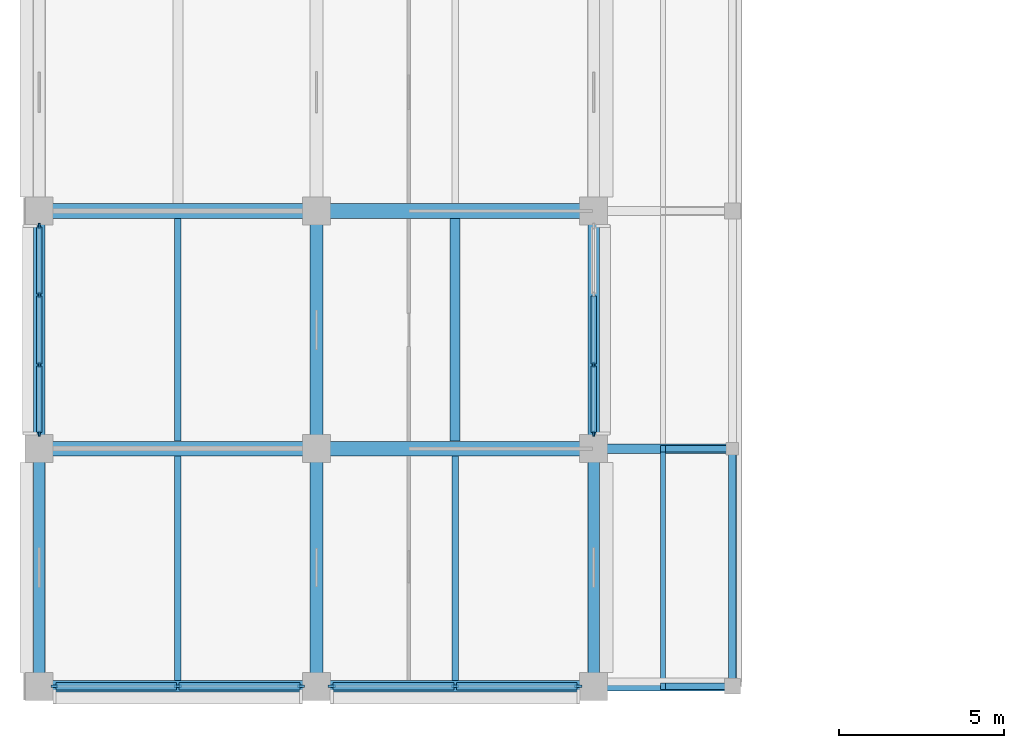
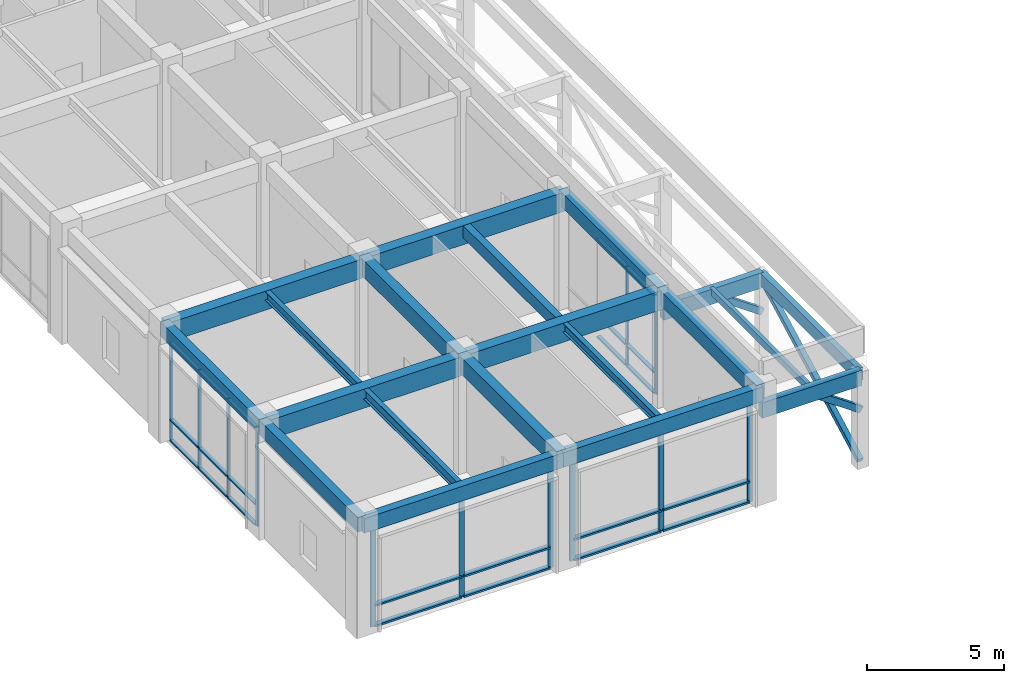
# One storey, part 4 of 68: 43 members, 19 beams, 4 elements without a shape of their own.
"""IFC4 building model written with IfcOpenShell, lengths in metres."""

from ifc_helpers import new_model, si_unit, direction, frame, origin, origin_2d, place, context, subcontext, project, spatial, rectangle, i_section, extrude, material, layer, layer_set, material_profile, profile_set, type_object, element, aggregate, save


model = new_model("IFC4")

# Units and contexts
model_context = context("Model", 3, precision=1e-05, world=origin(), true_north=direction((0.0, 1.0)))
body_context = subcontext(model_context, "Body", "Model", "MODEL_VIEW")
ifc_project = project(units=[si_unit("LENGTHUNIT", "METRE"), si_unit("AREAUNIT", "SQUARE_METRE"), si_unit("VOLUMEUNIT", "CUBIC_METRE"), si_unit("PLANEANGLEUNIT", "RADIAN"), si_unit("MASSUNIT", "GRAM", prefix="KILO")], contexts=[model_context])

# Site, building, storey
site_placement = place(None, origin())
site = spatial("IfcSite", under=ifc_project, at=site_placement, CompositionType="ELEMENT")
building_placement = place(site_placement, origin())
building = spatial("IfcBuilding", under=site, at=building_placement, Name="Chengyuan Square Courthouse", CompositionType="ELEMENT")
storey_placement = place(building_placement, frame((0.0, 0.0, 5.39990234375)))
storey = spatial("IfcBuildingStorey", under=building, at=storey_placement, Name="L02", CompositionType="ELEMENT", Elevation=5.39990234375)

# Beams
ifc_material_1 = material(Name="Concrete C40", Category="concrete")
ifc_material_profile_1 = material_profile(ifc_material_1, rectangle(XDim=0.449951171875, YDim=0.85009765625, at=origin_2d()), Name="RC-BM-450x850")
ifc_profile_set_1 = profile_set([ifc_material_profile_1], Name="Concrete C40")
beam_type_1 = type_object("IfcBeamType", Name="BM-01", PredefinedType="USERDEFINED", material=ifc_profile_set_1)
beam_1_placement = place(storey_placement, frame((0.0, 7.199951171875, 4.625), z_axis=(1.0, 0.0, 0.0), x_axis=(0.0, 1.0, 0.0)))
element("IfcBeam", 1, at=beam_1_placement, inside=storey, type_object=beam_type_1, Name="Girder BM-L02-2075", ObjectType="GIRDER", PredefinedType="USERDEFINED", context=body_context, shape_type="SweptSolid", body=[
    extrude(rectangle(XDim=0.449951171875, YDim=0.85009765625, at=origin_2d()), origin(), (0.0, 0.0, 1.0), 8.39990234375),
])
beam_2_placement = place(storey_placement, frame((8.39990234375, 7.199951171875, 4.625), z_axis=(1.0, 0.0, 0.0), x_axis=(0.0, 1.0, 0.0)))
element("IfcBeam", 2, at=beam_2_placement, inside=storey, type_object=beam_type_1, Name="Girder BM-L02-2076", ObjectType="GIRDER", PredefinedType="USERDEFINED", context=body_context, shape_type="SweptSolid", body=[
    extrude(rectangle(XDim=0.449951171875, YDim=0.85009765625, at=origin_2d()), origin(), (0.0, 0.0, 1.0), 8.400146484375),
])
beam_3_placement = place(storey_placement, frame((0.0, 14.39990234375, 4.625), z_axis=(1.0, 0.0, 0.0), x_axis=(0.0, 1.0, 0.0)))
element("IfcBeam", 3, at=beam_3_placement, inside=storey, type_object=beam_type_1, Name="Girder BM-L02-2079", ObjectType="GIRDER", PredefinedType="USERDEFINED", context=body_context, shape_type="SweptSolid", body=[
    extrude(rectangle(XDim=0.449951171875, YDim=0.85009765625, at=origin_2d()), origin(), (0.0, 0.0, 1.0), 8.39990234375),
])
beam_4_placement = place(storey_placement, frame((8.39990234375, 14.39990234375, 4.625), z_axis=(1.0, 0.0, 0.0), x_axis=(0.0, 1.0, 0.0)))
element("IfcBeam", 4, at=beam_4_placement, inside=storey, type_object=beam_type_1, Name="Girder BM-L02-2080", ObjectType="GIRDER", PredefinedType="USERDEFINED", context=body_context, shape_type="SweptSolid", body=[
    extrude(rectangle(XDim=0.449951171875, YDim=0.85009765625, at=origin_2d()), origin(), (0.0, 0.0, 1.0), 8.400146484375),
])
ifc_material_profile_2 = material_profile(ifc_material_1, rectangle(XDim=0.39990234375, YDim=0.75, at=origin_2d()), Name="RC-BM-400x750")
ifc_profile_set_2 = profile_set([ifc_material_profile_2], Name="Concrete C40")
beam_type_2 = type_object("IfcBeamType", Name="BM-02", PredefinedType="USERDEFINED", material=ifc_profile_set_2)
for number, where, z_axis, x_axis, name in (
    (5, (8.39990234375, 0.0, 4.675048828125), (0.0, 1.0, 0.0), (-1.0, 0.0, 0.0), "Girder BM-L02-2242"),
    (6, (8.39990234375, 7.199951171875, 4.675048828125), (0.0, 1.0, 0.0), (-1.0, 0.0, 0.0), "Girder BM-L02-2243"),
):
    element("IfcBeam", number, at=place(storey_placement, frame(where, z_axis=z_axis, x_axis=x_axis)), inside=storey, type_object=beam_type_2, Name=name, ObjectType="GIRDER", PredefinedType="USERDEFINED", context=body_context, shape_type="SweptSolid", body=[
        extrude(rectangle(XDim=0.39990234375, YDim=0.75, at=origin_2d()), origin(), (0.0, 0.0, 1.0), 7.199951171875),
    ])
ifc_material_profile_3 = material_profile(ifc_material_1, rectangle(XDim=0.35009765625, YDim=0.64990234375, at=origin_2d()), Name="RC-BM-350x650")
ifc_profile_set_3 = profile_set([ifc_material_profile_3], Name="Concrete C40")
beam_type_3 = type_object("IfcBeamType", Name="BM-03", PredefinedType="SPANDREL", material=ifc_profile_set_3)
beam_5_placement = place(storey_placement, frame((0.0, 0.0, 4.72509765625), z_axis=(1.0, 0.0, 0.0), x_axis=(0.0, 1.0, 0.0)))
element("IfcBeam", 7, at=beam_5_placement, inside=storey, type_object=beam_type_3, Name="Girder BM-L02-2071", PredefinedType="SPANDREL", context=body_context, shape_type="SweptSolid", body=[
    extrude(rectangle(XDim=0.35009765625, YDim=0.64990234375, at=origin_2d()), origin(), (0.0, 0.0, 1.0), 8.39990234375),
])
beam_6_placement = place(storey_placement, frame((8.39990234375, 0.0, 4.72509765625), z_axis=(1.0, 0.0, 0.0), x_axis=(0.0, 1.0, 0.0)))
element("IfcBeam", 8, at=beam_6_placement, inside=storey, type_object=beam_type_3, Name="Girder BM-L02-2072", PredefinedType="SPANDREL", context=body_context, shape_type="SweptSolid", body=[
    extrude(rectangle(XDim=0.35009765625, YDim=0.64990234375, at=origin_2d()), origin(), (0.0, 0.0, 1.0), 8.400146484375),
])
for number, where, z_axis, x_axis, name in (
    (9, (0.0, 0.0, 4.72509765625), (0.0, 1.0, 0.0), (-1.0, 0.0, 0.0), "Girder BM-L02-2227"),
    (10, (0.0, 7.199951171875, 4.72509765625), (0.0, 1.0, 0.0), (-1.0, 0.0, 0.0), "Girder BM-L02-2228"),
    (11, (16.800048828125, 0.0, 4.72509765625), (0.0, 1.0, 0.0), (-1.0, 0.0, 0.0), "Girder BM-L02-2257"),
    (12, (16.800048828125, 7.199951171875, 4.72509765625), (0.0, 1.0, 0.0), (-1.0, 0.0, 0.0), "Girder BM-L02-2258"),
):
    element("IfcBeam", number, at=place(storey_placement, frame(where, z_axis=z_axis, x_axis=x_axis)), inside=storey, type_object=beam_type_3, Name=name, PredefinedType="SPANDREL", context=body_context, shape_type="SweptSolid", body=[
        extrude(rectangle(XDim=0.35009765625, YDim=0.64990234375, at=origin_2d()), origin(), (0.0, 0.0, 1.0), 7.199951171875),
    ])
ifc_material_profile_4 = material_profile(ifc_material_1, rectangle(XDim=0.300048828125, YDim=0.550048828125, at=origin_2d()), Name="RC-BM-300x550")
ifc_profile_set_4 = profile_set([ifc_material_profile_4], Name="Concrete C40")
beam_type_4 = type_object("IfcBeamType", Name="BM-04", PredefinedType="BEAM", material=ifc_profile_set_4)
beam_7_placement = place(storey_placement, frame((12.60009765625, 7.425048828125, 4.775146484375), z_axis=(0.0, 1.0, 0.0), x_axis=(-1.0, 0.0, 0.0)))
element("IfcBeam", 13, at=beam_7_placement, inside=storey, type_object=beam_type_4, Name="Secondary Floor Beam SBM-L02-2406", PredefinedType="BEAM", context=body_context, shape_type="SweptSolid", body=[
    extrude(rectangle(XDim=0.300048828125, YDim=0.550048828125, at=origin_2d()), origin(), (0.0, 0.0, 1.0), 6.75),
])
ifc_material_2 = material(Name="Steel Q355B", Category="steel")
ifc_material_profile_5 = material_profile(ifc_material_2, i_section(OverallWidth=0.199951171875, OverallDepth=0.449951171875, WebThickness=0.009033203125, FlangeThickness=0.013916015625, at=origin_2d()), Name="HN 450x200x9x14")
ifc_profile_set_5 = profile_set([ifc_material_profile_5], Name="Steel Q355B")
beam_type_5 = type_object("IfcBeamType", Name="BM-06", PredefinedType="BEAM", material=ifc_profile_set_5)
beam_8_placement = place(storey_placement, frame((4.199951171875, 0.175048828125, 4.8251953125), z_axis=(0.0, 1.0, 0.0), x_axis=(-1.0, 0.0, 0.0)))
element("IfcBeam", 14, at=beam_8_placement, inside=storey, type_object=beam_type_5, Name="Secondary Floor Beam SBM-L02-2390", PredefinedType="BEAM", context=body_context, shape_type="SweptSolid", body=[
    extrude(i_section(OverallWidth=0.199951171875, OverallDepth=0.449951171875, WebThickness=0.009033203125, FlangeThickness=0.013916015625, at=origin_2d()), origin(), (0.0, 0.0, 1.0), 6.800048828125),
])
ifc_material_profile_6 = material_profile(ifc_material_2, i_section(OverallWidth=0.199951171875, OverallDepth=0.39990234375, WebThickness=0.008056640625, FlangeThickness=0.012939453125, at=origin_2d()), Name="HN 400x200x8x13")
ifc_profile_set_6 = profile_set([ifc_material_profile_6], Name="Steel Q355B")
beam_type_6 = type_object("IfcBeamType", Name="BM-07", PredefinedType="BEAM", material=ifc_profile_set_6)
beam_9_placement = place(storey_placement, frame((4.199951171875, 7.425048828125, 4.85009765625), z_axis=(0.0, 1.0, 0.0), x_axis=(-1.0, 0.0, 0.0)))
element("IfcBeam", 15, at=beam_9_placement, inside=storey, type_object=beam_type_6, Name="Secondary Floor Beam SBM-L02-2391", PredefinedType="BEAM", context=body_context, shape_type="SweptSolid", body=[
    extrude(i_section(OverallWidth=0.199951171875, OverallDepth=0.39990234375, WebThickness=0.008056640625, FlangeThickness=0.012939453125, at=origin_2d()), origin(), (0.0, 0.0, 1.0), 6.75),
])
beam_10_placement = place(storey_placement, frame((12.60009765625, 0.175048828125, 4.85009765625), z_axis=(0.0, 1.0, 0.0), x_axis=(-1.0, 0.0, 0.0)))
element("IfcBeam", 16, at=beam_10_placement, inside=storey, type_object=beam_type_6, Name="Secondary Floor Beam SBM-L02-2405", PredefinedType="BEAM", context=body_context, shape_type="SweptSolid", body=[
    extrude(i_section(OverallWidth=0.199951171875, OverallDepth=0.39990234375, WebThickness=0.008056640625, FlangeThickness=0.012939453125, at=origin_2d()), origin(), (0.0, 0.0, 1.0), 6.800048828125),
])

# Member
ifc_material_3 = material(Name="Glulam TCt28", Category="wood")
ifc_material_profile_7 = material_profile(ifc_material_3, rectangle(XDim=0.219970703125, YDim=0.219970703125, at=origin_2d()), Name="GL-BR-220x220")
ifc_profile_set_7 = profile_set([ifc_material_profile_7], Name="Glulam TCt28")
member_type_1 = type_object("IfcMemberType", Name="BR-03", PredefinedType="BRACE", material=ifc_profile_set_7)
member_1_placement = place(storey_placement, frame((21.0, 0.0, 0.2001953125), z_axis=(0.0, 0.883377366963, 0.468662381184), x_axis=(-1.0, 0.0, 0.0)))
element("IfcMember", 17, at=member_1_placement, inside=storey, type_object=member_type_1, Name="Glulam Colonnade Portal Brace GBR-L02-001", PredefinedType="BRACE", context=body_context, shape_type="SweptSolid", body=[
    extrude(rectangle(XDim=0.219970703125, YDim=0.219970703125, at=origin_2d()), origin(), (0.0, 0.0, 1.0), 8.150390625),
])

# Curtain wall, members
ifc_material_4 = material(Name="Unitised Aluminium and Triple Low-E Glass", Category="aluminium")
ifc_layer_1 = layer(ifc_material_4, 0.159912109375)
ifc_layer_set_1 = layer_set([ifc_layer_1], Name="Unitised Aluminium and Triple Low-E Glass")
curtain_wall_type_1 = type_object("IfcCurtainWallType", Name="CW-17", PredefinedType="USERDEFINED", material=ifc_layer_set_1)
curtain_wall_1_placement = place(storey_placement, origin())
curtain_wall_1 = element("IfcCurtainWall", 18, at=curtain_wall_1_placement, inside=storey, type_object=curtain_wall_type_1, Name="Unitised Curtain Wall CW-L02-044", ObjectType="UNITISED CURTAIN WALL", PredefinedType="USERDEFINED")
ifc_material_5 = material(Name="Aluminium 6063-T6 Frame", Category="aluminium")
ifc_material_profile_8 = material_profile(ifc_material_5, rectangle(XDim=0.06005859375, YDim=0.159912109375, at=origin_2d()), Name="CW-MUL-60x160")
ifc_profile_set_8 = profile_set([ifc_material_profile_8], Name="Aluminium 6063-T6 Frame")
member_type_2 = type_object("IfcMemberType", Name="CWM-01", PredefinedType="MULLION", material=ifc_profile_set_8)
member_2_placement = place(storey_placement, frame((0.0, 7.655029296875, 0.0), z_axis=(0.0, 0.0, 1.0), x_axis=(-1.0, 0.0, 0.0)))
member_2 = element("IfcMember", 19, at=member_2_placement, type_object=member_type_2, Name="CW-17 mullion 1", PredefinedType="MULLION", context=body_context, shape_type="SweptSolid", body=[
    extrude(rectangle(XDim=0.06005859375, YDim=0.159912109375, at=origin_2d()), origin(), (0.0, 0.0, 1.0), 4.400146484375),
])
member_3_placement = place(storey_placement, frame((0.0, 9.74169921875, 0.0), z_axis=(0.0, 0.0, 1.0), x_axis=(-1.0, 0.0, 0.0)))
member_3 = element("IfcMember", 20, at=member_3_placement, type_object=member_type_2, Name="CW-17 mullion 2", PredefinedType="MULLION", context=body_context, shape_type="SweptSolid", body=[
    extrude(rectangle(XDim=0.06005859375, YDim=0.159912109375, at=origin_2d()), origin(), (0.0, 0.0, 1.0), 4.400146484375),
])
member_4_placement = place(storey_placement, frame((0.0, 11.8583984375, 0.0), z_axis=(0.0, 0.0, 1.0), x_axis=(-1.0, 0.0, 0.0)))
member_4 = element("IfcMember", 21, at=member_4_placement, type_object=member_type_2, Name="CW-17 mullion 3", PredefinedType="MULLION", context=body_context, shape_type="SweptSolid", body=[
    extrude(rectangle(XDim=0.06005859375, YDim=0.159912109375, at=origin_2d()), origin(), (0.0, 0.0, 1.0), 4.400146484375),
])
member_5_placement = place(storey_placement, frame((0.0, 13.945068359375, 0.0), z_axis=(0.0, 0.0, 1.0), x_axis=(-1.0, 0.0, 0.0)))
member_5 = element("IfcMember", 22, at=member_5_placement, type_object=member_type_2, Name="CW-17 mullion 4", PredefinedType="MULLION", context=body_context, shape_type="SweptSolid", body=[
    extrude(rectangle(XDim=0.06005859375, YDim=0.159912109375, at=origin_2d()), origin(), (0.0, 0.0, 1.0), 4.400146484375),
])

curtain_wall_2_placement = place(storey_placement, origin())
curtain_wall_2 = element("IfcCurtainWall", 23, at=curtain_wall_2_placement, inside=storey, type_object=curtain_wall_type_1, Name="Unitised Curtain Wall CW-L02-050", ObjectType="UNITISED CURTAIN WALL", PredefinedType="USERDEFINED")
member_6_placement = place(storey_placement, frame((16.800048828125, 7.655029296875, 0.0), z_axis=(0.0, 0.0, 1.0), x_axis=(-1.0, 0.0, 0.0)))
member_6 = element("IfcMember", 24, at=member_6_placement, type_object=member_type_2, Name="CW-17 mullion 1", PredefinedType="MULLION", context=body_context, shape_type="SweptSolid", body=[
    extrude(rectangle(XDim=0.06005859375, YDim=0.159912109375, at=origin_2d()), origin(), (0.0, 0.0, 1.0), 4.400146484375),
])
member_7_placement = place(storey_placement, frame((16.800048828125, 9.74169921875, 0.0), z_axis=(0.0, 0.0, 1.0), x_axis=(-1.0, 0.0, 0.0)))
member_7 = element("IfcMember", 25, at=member_7_placement, type_object=member_type_2, Name="CW-17 mullion 2", PredefinedType="MULLION", context=body_context, shape_type="SweptSolid", body=[
    extrude(rectangle(XDim=0.06005859375, YDim=0.159912109375, at=origin_2d()), origin(), (0.0, 0.0, 1.0), 4.400146484375),
])

ifc_layer_2 = layer(ifc_material_4, 0.219970703125)
ifc_layer_set_2 = layer_set([ifc_layer_2], Name="Unitised Aluminium and Triple Low-E Glass")
curtain_wall_type_2 = type_object("IfcCurtainWallType", Name="CW-04", PredefinedType="USERDEFINED", material=ifc_layer_set_2)
curtain_wall_3_placement = place(storey_placement, origin())
curtain_wall_3 = element("IfcCurtainWall", 26, at=curtain_wall_3_placement, inside=storey, type_object=curtain_wall_type_2, Name="Unitised Curtain Wall CW-L02-043", ObjectType="UNITISED CURTAIN WALL", PredefinedType="USERDEFINED")
ifc_material_profile_9 = material_profile(ifc_material_5, rectangle(XDim=0.080078125, YDim=0.219970703125, at=origin_2d()), Name="CW-MUL-80x220")
ifc_profile_set_9 = profile_set([ifc_material_profile_9], Name="Aluminium 6063-T6 Frame")
member_type_3 = type_object("IfcMemberType", Name="CWM-04", PredefinedType="MULLION", material=ifc_profile_set_9)
member_8_placement = place(storey_placement, frame((0.465087890625, 0.0, 0.0), z_axis=(0.0, 0.0, 1.0), x_axis=(0.0, 1.0, 0.0)))
member_8 = element("IfcMember", 27, at=member_8_placement, type_object=member_type_3, Name="CW-04 mullion 1", PredefinedType="MULLION", context=body_context, shape_type="SweptSolid", body=[
    extrude(rectangle(XDim=0.080078125, YDim=0.219970703125, at=origin_2d()), origin(), (0.0, 0.0, 1.0), 4.400146484375),
])
member_9_placement = place(storey_placement, frame((4.199951171875, 0.0, 0.0), z_axis=(0.0, 0.0, 1.0), x_axis=(0.0, 1.0, 0.0)))
member_9 = element("IfcMember", 28, at=member_9_placement, type_object=member_type_3, Name="CW-04 mullion 2", PredefinedType="MULLION", context=body_context, shape_type="SweptSolid", body=[
    extrude(rectangle(XDim=0.080078125, YDim=0.219970703125, at=origin_2d()), origin(), (0.0, 0.0, 1.0), 4.400146484375),
])
member_10_placement = place(storey_placement, frame((7.93505859375, 0.0, 0.0), z_axis=(0.0, 0.0, 1.0), x_axis=(0.0, 1.0, 0.0)))
member_10 = element("IfcMember", 29, at=member_10_placement, type_object=member_type_3, Name="CW-04 mullion 3", PredefinedType="MULLION", context=body_context, shape_type="SweptSolid", body=[
    extrude(rectangle(XDim=0.080078125, YDim=0.219970703125, at=origin_2d()), origin(), (0.0, 0.0, 1.0), 4.400146484375),
])

curtain_wall_4_placement = place(storey_placement, origin())
curtain_wall_4 = element("IfcCurtainWall", 30, at=curtain_wall_4_placement, inside=storey, type_object=curtain_wall_type_2, Name="Unitised Curtain Wall CW-L02-049", ObjectType="UNITISED CURTAIN WALL", PredefinedType="USERDEFINED")
member_11_placement = place(storey_placement, frame((8.864990234375, 0.0, 0.0), z_axis=(0.0, 0.0, 1.0), x_axis=(0.0, 1.0, 0.0)))
member_11 = element("IfcMember", 31, at=member_11_placement, type_object=member_type_3, Name="CW-04 mullion 1", PredefinedType="MULLION", context=body_context, shape_type="SweptSolid", body=[
    extrude(rectangle(XDim=0.080078125, YDim=0.219970703125, at=origin_2d()), origin(), (0.0, 0.0, 1.0), 4.400146484375),
])
member_12_placement = place(storey_placement, frame((12.60009765625, 0.0, 0.0), z_axis=(0.0, 0.0, 1.0), x_axis=(0.0, 1.0, 0.0)))
member_12 = element("IfcMember", 32, at=member_12_placement, type_object=member_type_3, Name="CW-04 mullion 2", PredefinedType="MULLION", context=body_context, shape_type="SweptSolid", body=[
    extrude(rectangle(XDim=0.080078125, YDim=0.219970703125, at=origin_2d()), origin(), (0.0, 0.0, 1.0), 4.400146484375),
])
member_13_placement = place(storey_placement, frame((16.3349609375, 0.0, 0.0), z_axis=(0.0, 0.0, 1.0), x_axis=(0.0, 1.0, 0.0)))
member_13 = element("IfcMember", 33, at=member_13_placement, type_object=member_type_3, Name="CW-04 mullion 3", PredefinedType="MULLION", context=body_context, shape_type="SweptSolid", body=[
    extrude(rectangle(XDim=0.080078125, YDim=0.219970703125, at=origin_2d()), origin(), (0.0, 0.0, 1.0), 4.400146484375),
])

# Member
ifc_material_profile_10 = material_profile(ifc_material_5, rectangle(XDim=0.159912109375, YDim=0.06005859375, at=origin_2d()), Name="CW-TRN-60x120")
ifc_profile_set_10 = profile_set([ifc_material_profile_10], Name="Aluminium 6063-T6 Frame")
member_type_4 = type_object("IfcMemberType", Name="CWT-01", PredefinedType="USERDEFINED", material=ifc_profile_set_10)
member_14_placement = place(storey_placement, frame((0.0, 7.68505859375, 0.030029296875), z_axis=(0.0, 1.0, 0.0), x_axis=(-1.0, 0.0, 0.0)))
member_14 = element("IfcMember", 34, at=member_14_placement, type_object=member_type_4, Name="CW-17 transom 1.1", ObjectType="TRANSOM", PredefinedType="USERDEFINED", context=body_context, shape_type="SweptSolid", body=[
    extrude(rectangle(XDim=0.159912109375, YDim=0.06005859375, at=origin_2d()), origin(), (0.0, 0.0, 1.0), 2.026611328125),
])

member_15_placement = place(storey_placement, frame((0.0, 7.68505859375, 0.9501953125), z_axis=(0.0, 1.0, 0.0), x_axis=(-1.0, 0.0, 0.0)))
member_15 = element("IfcMember", 35, at=member_15_placement, type_object=member_type_4, Name="CW-17 transom 1.2", ObjectType="TRANSOM", PredefinedType="USERDEFINED", context=body_context, shape_type="SweptSolid", body=[
    extrude(rectangle(XDim=0.159912109375, YDim=0.06005859375, at=origin_2d()), origin(), (0.0, 0.0, 1.0), 2.026611328125),
])

member_16_placement = place(storey_placement, frame((0.0, 7.68505859375, 4.3701171875), z_axis=(0.0, 1.0, 0.0), x_axis=(-1.0, 0.0, 0.0)))
member_16 = element("IfcMember", 36, at=member_16_placement, type_object=member_type_4, Name="CW-17 transom 1.3", ObjectType="TRANSOM", PredefinedType="USERDEFINED", context=body_context, shape_type="SweptSolid", body=[
    extrude(rectangle(XDim=0.159912109375, YDim=0.06005859375, at=origin_2d()), origin(), (0.0, 0.0, 1.0), 2.026611328125),
])

member_17_placement = place(storey_placement, frame((0.0, 9.771728515625, 0.030029296875), z_axis=(0.0, 1.0, 0.0), x_axis=(-1.0, 0.0, 0.0)))
member_17 = element("IfcMember", 37, at=member_17_placement, type_object=member_type_4, Name="CW-17 transom 2.1", ObjectType="TRANSOM", PredefinedType="USERDEFINED", context=body_context, shape_type="SweptSolid", body=[
    extrude(rectangle(XDim=0.159912109375, YDim=0.06005859375, at=origin_2d()), origin(), (0.0, 0.0, 1.0), 2.056640625),
])

member_18_placement = place(storey_placement, frame((0.0, 9.771728515625, 0.9501953125), z_axis=(0.0, 1.0, 0.0), x_axis=(-1.0, 0.0, 0.0)))
member_18 = element("IfcMember", 38, at=member_18_placement, type_object=member_type_4, Name="CW-17 transom 2.2", ObjectType="TRANSOM", PredefinedType="USERDEFINED", context=body_context, shape_type="SweptSolid", body=[
    extrude(rectangle(XDim=0.159912109375, YDim=0.06005859375, at=origin_2d()), origin(), (0.0, 0.0, 1.0), 2.056640625),
])

member_19_placement = place(storey_placement, frame((0.0, 9.771728515625, 4.3701171875), z_axis=(0.0, 1.0, 0.0), x_axis=(-1.0, 0.0, 0.0)))
member_19 = element("IfcMember", 39, at=member_19_placement, type_object=member_type_4, Name="CW-17 transom 2.3", ObjectType="TRANSOM", PredefinedType="USERDEFINED", context=body_context, shape_type="SweptSolid", body=[
    extrude(rectangle(XDim=0.159912109375, YDim=0.06005859375, at=origin_2d()), origin(), (0.0, 0.0, 1.0), 2.056640625),
])

member_20_placement = place(storey_placement, frame((0.0, 11.888427734375, 0.030029296875), z_axis=(0.0, 1.0, 0.0), x_axis=(-1.0, 0.0, 0.0)))
member_20 = element("IfcMember", 40, at=member_20_placement, type_object=member_type_4, Name="CW-17 transom 3.1", ObjectType="TRANSOM", PredefinedType="USERDEFINED", context=body_context, shape_type="SweptSolid", body=[
    extrude(rectangle(XDim=0.159912109375, YDim=0.06005859375, at=origin_2d()), origin(), (0.0, 0.0, 1.0), 2.026611328125),
])

member_21_placement = place(storey_placement, frame((0.0, 11.888427734375, 0.9501953125), z_axis=(0.0, 1.0, 0.0), x_axis=(-1.0, 0.0, 0.0)))
member_21 = element("IfcMember", 41, at=member_21_placement, type_object=member_type_4, Name="CW-17 transom 3.2", ObjectType="TRANSOM", PredefinedType="USERDEFINED", context=body_context, shape_type="SweptSolid", body=[
    extrude(rectangle(XDim=0.159912109375, YDim=0.06005859375, at=origin_2d()), origin(), (0.0, 0.0, 1.0), 2.026611328125),
])

member_22_placement = place(storey_placement, frame((0.0, 11.888427734375, 4.3701171875), z_axis=(0.0, 1.0, 0.0), x_axis=(-1.0, 0.0, 0.0)))
member_22 = element("IfcMember", 42, at=member_22_placement, type_object=member_type_4, Name="CW-17 transom 3.3", ObjectType="TRANSOM", PredefinedType="USERDEFINED", context=body_context, shape_type="SweptSolid", body=[
    extrude(rectangle(XDim=0.159912109375, YDim=0.06005859375, at=origin_2d()), origin(), (0.0, 0.0, 1.0), 2.026611328125),
])

aggregate(curtain_wall_1, [member_2, member_3, member_4, member_5, member_14, member_15, member_16, member_17, member_18, member_19, member_20, member_21, member_22])

member_23_placement = place(storey_placement, frame((16.800048828125, 7.68505859375, 0.030029296875), z_axis=(0.0, 1.0, 0.0), x_axis=(-1.0, 0.0, 0.0)))
member_23 = element("IfcMember", 43, at=member_23_placement, type_object=member_type_4, Name="CW-17 transom 1.1", ObjectType="TRANSOM", PredefinedType="USERDEFINED", context=body_context, shape_type="SweptSolid", body=[
    extrude(rectangle(XDim=0.159912109375, YDim=0.06005859375, at=origin_2d()), origin(), (0.0, 0.0, 1.0), 2.026611328125),
])

member_24_placement = place(storey_placement, frame((16.800048828125, 7.68505859375, 0.9501953125), z_axis=(0.0, 1.0, 0.0), x_axis=(-1.0, 0.0, 0.0)))
member_24 = element("IfcMember", 44, at=member_24_placement, type_object=member_type_4, Name="CW-17 transom 1.2", ObjectType="TRANSOM", PredefinedType="USERDEFINED", context=body_context, shape_type="SweptSolid", body=[
    extrude(rectangle(XDim=0.159912109375, YDim=0.06005859375, at=origin_2d()), origin(), (0.0, 0.0, 1.0), 2.026611328125),
])

member_25_placement = place(storey_placement, frame((16.800048828125, 7.68505859375, 4.3701171875), z_axis=(0.0, 1.0, 0.0), x_axis=(-1.0, 0.0, 0.0)))
member_25 = element("IfcMember", 45, at=member_25_placement, type_object=member_type_4, Name="CW-17 transom 1.3", ObjectType="TRANSOM", PredefinedType="USERDEFINED", context=body_context, shape_type="SweptSolid", body=[
    extrude(rectangle(XDim=0.159912109375, YDim=0.06005859375, at=origin_2d()), origin(), (0.0, 0.0, 1.0), 2.026611328125),
])

member_26_placement = place(storey_placement, frame((16.800048828125, 9.771728515625, 0.030029296875), z_axis=(0.0, 1.0, 0.0), x_axis=(-1.0, 0.0, 0.0)))
member_26 = element("IfcMember", 46, at=member_26_placement, type_object=member_type_4, Name="CW-17 transom 2.1", ObjectType="TRANSOM", PredefinedType="USERDEFINED", context=body_context, shape_type="SweptSolid", body=[
    extrude(rectangle(XDim=0.159912109375, YDim=0.06005859375, at=origin_2d()), origin(), (0.0, 0.0, 1.0), 2.056640625),
])

member_27_placement = place(storey_placement, frame((16.800048828125, 9.771728515625, 0.9501953125), z_axis=(0.0, 1.0, 0.0), x_axis=(-1.0, 0.0, 0.0)))
member_27 = element("IfcMember", 47, at=member_27_placement, type_object=member_type_4, Name="CW-17 transom 2.2", ObjectType="TRANSOM", PredefinedType="USERDEFINED", context=body_context, shape_type="SweptSolid", body=[
    extrude(rectangle(XDim=0.159912109375, YDim=0.06005859375, at=origin_2d()), origin(), (0.0, 0.0, 1.0), 2.056640625),
])

member_28_placement = place(storey_placement, frame((16.800048828125, 9.771728515625, 4.3701171875), z_axis=(0.0, 1.0, 0.0), x_axis=(-1.0, 0.0, 0.0)))
member_28 = element("IfcMember", 48, at=member_28_placement, type_object=member_type_4, Name="CW-17 transom 2.3", ObjectType="TRANSOM", PredefinedType="USERDEFINED", context=body_context, shape_type="SweptSolid", body=[
    extrude(rectangle(XDim=0.159912109375, YDim=0.06005859375, at=origin_2d()), origin(), (0.0, 0.0, 1.0), 2.056640625),
])

aggregate(curtain_wall_2, [member_6, member_7, member_23, member_24, member_25, member_26, member_27, member_28])

ifc_material_profile_11 = material_profile(ifc_material_5, rectangle(XDim=0.219970703125, YDim=0.080078125, at=origin_2d()), Name="CW-TRN-80x180")
ifc_profile_set_11 = profile_set([ifc_material_profile_11], Name="Aluminium 6063-T6 Frame")
member_type_5 = type_object("IfcMemberType", Name="CWT-04", PredefinedType="USERDEFINED", material=ifc_profile_set_11)
member_29_placement = place(storey_placement, frame((0.5048828125, 0.0, 0.0400390625), z_axis=(1.0, 0.0, 0.0), x_axis=(0.0, 1.0, 0.0)))
member_29 = element("IfcMember", 49, at=member_29_placement, type_object=member_type_5, Name="CW-04 transom 1.1", ObjectType="TRANSOM", PredefinedType="USERDEFINED", context=body_context, shape_type="SweptSolid", body=[
    extrude(rectangle(XDim=0.219970703125, YDim=0.080078125, at=origin_2d()), origin(), (0.0, 0.0, 1.0), 3.655029296875),
])

member_30_placement = place(storey_placement, frame((0.5048828125, 0.0, 0.9501953125), z_axis=(1.0, 0.0, 0.0), x_axis=(0.0, 1.0, 0.0)))
member_30 = element("IfcMember", 50, at=member_30_placement, type_object=member_type_5, Name="CW-04 transom 1.2", ObjectType="TRANSOM", PredefinedType="USERDEFINED", context=body_context, shape_type="SweptSolid", body=[
    extrude(rectangle(XDim=0.219970703125, YDim=0.080078125, at=origin_2d()), origin(), (0.0, 0.0, 1.0), 3.655029296875),
])

member_31_placement = place(storey_placement, frame((0.5048828125, 0.0, 4.360107421875), z_axis=(1.0, 0.0, 0.0), x_axis=(0.0, 1.0, 0.0)))
member_31 = element("IfcMember", 51, at=member_31_placement, type_object=member_type_5, Name="CW-04 transom 1.3", ObjectType="TRANSOM", PredefinedType="USERDEFINED", context=body_context, shape_type="SweptSolid", body=[
    extrude(rectangle(XDim=0.219970703125, YDim=0.080078125, at=origin_2d()), origin(), (0.0, 0.0, 1.0), 3.655029296875),
])

member_32_placement = place(storey_placement, frame((4.239990234375, 0.0, 0.0400390625), z_axis=(1.0, 0.0, 0.0), x_axis=(0.0, 1.0, 0.0)))
member_32 = element("IfcMember", 52, at=member_32_placement, type_object=member_type_5, Name="CW-04 transom 2.1", ObjectType="TRANSOM", PredefinedType="USERDEFINED", context=body_context, shape_type="SweptSolid", body=[
    extrude(rectangle(XDim=0.219970703125, YDim=0.080078125, at=origin_2d()), origin(), (0.0, 0.0, 1.0), 3.655029296875),
])

member_33_placement = place(storey_placement, frame((4.239990234375, 0.0, 0.9501953125), z_axis=(1.0, 0.0, 0.0), x_axis=(0.0, 1.0, 0.0)))
member_33 = element("IfcMember", 53, at=member_33_placement, type_object=member_type_5, Name="CW-04 transom 2.2", ObjectType="TRANSOM", PredefinedType="USERDEFINED", context=body_context, shape_type="SweptSolid", body=[
    extrude(rectangle(XDim=0.219970703125, YDim=0.080078125, at=origin_2d()), origin(), (0.0, 0.0, 1.0), 3.655029296875),
])

member_34_placement = place(storey_placement, frame((4.239990234375, 0.0, 4.360107421875), z_axis=(1.0, 0.0, 0.0), x_axis=(0.0, 1.0, 0.0)))
member_34 = element("IfcMember", 54, at=member_34_placement, type_object=member_type_5, Name="CW-04 transom 2.3", ObjectType="TRANSOM", PredefinedType="USERDEFINED", context=body_context, shape_type="SweptSolid", body=[
    extrude(rectangle(XDim=0.219970703125, YDim=0.080078125, at=origin_2d()), origin(), (0.0, 0.0, 1.0), 3.655029296875),
])

aggregate(curtain_wall_3, [member_8, member_9, member_10, member_29, member_30, member_31, member_32, member_33, member_34])

member_35_placement = place(storey_placement, frame((8.905029296875, 0.0, 0.0400390625), z_axis=(1.0, 0.0, 0.0), x_axis=(0.0, 1.0, 0.0)))
member_35 = element("IfcMember", 55, at=member_35_placement, type_object=member_type_5, Name="CW-04 transom 1.1", ObjectType="TRANSOM", PredefinedType="USERDEFINED", context=body_context, shape_type="SweptSolid", body=[
    extrude(rectangle(XDim=0.219970703125, YDim=0.080078125, at=origin_2d()), origin(), (0.0, 0.0, 1.0), 3.655029296875),
])

member_36_placement = place(storey_placement, frame((8.905029296875, 0.0, 0.9501953125), z_axis=(1.0, 0.0, 0.0), x_axis=(0.0, 1.0, 0.0)))
member_36 = element("IfcMember", 56, at=member_36_placement, type_object=member_type_5, Name="CW-04 transom 1.2", ObjectType="TRANSOM", PredefinedType="USERDEFINED", context=body_context, shape_type="SweptSolid", body=[
    extrude(rectangle(XDim=0.219970703125, YDim=0.080078125, at=origin_2d()), origin(), (0.0, 0.0, 1.0), 3.655029296875),
])

member_37_placement = place(storey_placement, frame((8.905029296875, 0.0, 4.360107421875), z_axis=(1.0, 0.0, 0.0), x_axis=(0.0, 1.0, 0.0)))
member_37 = element("IfcMember", 57, at=member_37_placement, type_object=member_type_5, Name="CW-04 transom 1.3", ObjectType="TRANSOM", PredefinedType="USERDEFINED", context=body_context, shape_type="SweptSolid", body=[
    extrude(rectangle(XDim=0.219970703125, YDim=0.080078125, at=origin_2d()), origin(), (0.0, 0.0, 1.0), 3.655029296875),
])

member_38_placement = place(storey_placement, frame((12.639892578125, 0.0, 0.0400390625), z_axis=(1.0, 0.0, 0.0), x_axis=(0.0, 1.0, 0.0)))
member_38 = element("IfcMember", 58, at=member_38_placement, type_object=member_type_5, Name="CW-04 transom 2.1", ObjectType="TRANSOM", PredefinedType="USERDEFINED", context=body_context, shape_type="SweptSolid", body=[
    extrude(rectangle(XDim=0.219970703125, YDim=0.080078125, at=origin_2d()), origin(), (0.0, 0.0, 1.0), 3.655029296875),
])

member_39_placement = place(storey_placement, frame((12.639892578125, 0.0, 0.9501953125), z_axis=(1.0, 0.0, 0.0), x_axis=(0.0, 1.0, 0.0)))
member_39 = element("IfcMember", 59, at=member_39_placement, type_object=member_type_5, Name="CW-04 transom 2.2", ObjectType="TRANSOM", PredefinedType="USERDEFINED", context=body_context, shape_type="SweptSolid", body=[
    extrude(rectangle(XDim=0.219970703125, YDim=0.080078125, at=origin_2d()), origin(), (0.0, 0.0, 1.0), 3.655029296875),
])

member_40_placement = place(storey_placement, frame((12.639892578125, 0.0, 4.360107421875), z_axis=(1.0, 0.0, 0.0), x_axis=(0.0, 1.0, 0.0)))
member_40 = element("IfcMember", 60, at=member_40_placement, type_object=member_type_5, Name="CW-04 transom 2.3", ObjectType="TRANSOM", PredefinedType="USERDEFINED", context=body_context, shape_type="SweptSolid", body=[
    extrude(rectangle(XDim=0.219970703125, YDim=0.080078125, at=origin_2d()), origin(), (0.0, 0.0, 1.0), 3.655029296875),
])

aggregate(curtain_wall_4, [member_11, member_12, member_13, member_35, member_36, member_37, member_38, member_39, member_40])

# Beams
ifc_material_profile_12 = material_profile(ifc_material_3, rectangle(XDim=0.280029296875, YDim=0.679931640625, at=origin_2d()), Name="GL-BM-280x680")
ifc_profile_set_12 = profile_set([ifc_material_profile_12], Name="Glulam TCt28")
beam_type_7 = type_object("IfcBeamType", Name="GLB-01", PredefinedType="BEAM", material=ifc_profile_set_12)
for number, where, z_axis, x_axis, name in (
    (61, (16.800048828125, 0.0, 3.960205078125), (1.0, 0.0, 0.0), (0.0, 1.0, 0.0), "Glulam Colonnade Portal Beam GLB-L02-026"),
    (62, (16.800048828125, 7.199951171875, 3.960205078125), (1.0, 0.0, 0.0), (0.0, 1.0, 0.0), "Glulam Colonnade Portal Beam GLB-L02-028"),
):
    element("IfcBeam", number, at=place(storey_placement, frame(where, z_axis=z_axis, x_axis=x_axis)), inside=storey, type_object=beam_type_7, Name=name, PredefinedType="BEAM", context=body_context, shape_type="SweptSolid", body=[
        extrude(rectangle(XDim=0.280029296875, YDim=0.679931640625, at=origin_2d()), origin(), (0.0, 0.0, 1.0), 4.199951171875),
    ])
ifc_material_profile_13 = material_profile(ifc_material_3, rectangle(XDim=0.239990234375, YDim=0.56005859375, at=origin_2d()), Name="GL-BM-240x560")
ifc_profile_set_13 = profile_set([ifc_material_profile_13], Name="Glulam TCt28")
beam_type_8 = type_object("IfcBeamType", Name="GLB-02", PredefinedType="BEAM", material=ifc_profile_set_13)
beam_11_placement = place(storey_placement, frame((21.0, 0.0, 4.02001953125), z_axis=(0.0, 1.0, 0.0), x_axis=(-1.0, 0.0, 0.0)))
element("IfcBeam", 63, at=beam_11_placement, inside=storey, type_object=beam_type_8, Name="Glulam Colonnade Header GLH-L02-001", PredefinedType="BEAM", context=body_context, shape_type="SweptSolid", body=[
    extrude(rectangle(XDim=0.239990234375, YDim=0.56005859375, at=origin_2d()), origin(), (0.0, 0.0, 1.0), 7.199951171875),
])

# Members
ifc_material_profile_14 = material_profile(ifc_material_3, rectangle(XDim=0.159912109375, YDim=0.300048828125, at=origin_2d()), Name="GL-PRL-160x300")
ifc_profile_set_14 = profile_set([ifc_material_profile_14], Name="Glulam TCt28")
member_type_6 = type_object("IfcMemberType", Name="PRL-02", PredefinedType="PURLIN", material=ifc_profile_set_14)
member_41_placement = place(storey_placement, frame((18.89990234375, 0.0, 4.150146484375), z_axis=(0.0, 1.0, 0.0), x_axis=(-1.0, 0.0, 0.0)))
element("IfcMember", 64, at=member_41_placement, inside=storey, type_object=member_type_6, Name="Glulam Canopy Purlin PRL-COL-001", PredefinedType="PURLIN", context=body_context, shape_type="SweptSolid", body=[
    extrude(rectangle(XDim=0.159912109375, YDim=0.300048828125, at=origin_2d()), origin(), (0.0, 0.0, 1.0), 7.199951171875),
])
ifc_material_profile_15 = material_profile(ifc_material_3, rectangle(XDim=0.199951171875, YDim=0.280029296875, at=origin_2d()), Name="GL-STR-200x280")
ifc_profile_set_15 = profile_set([ifc_material_profile_15], Name="Glulam TCt28")
member_type_7 = type_object("IfcMemberType", Name="STR-01", PredefinedType="STRUT", material=ifc_profile_set_15)
for number, where, z_axis, x_axis, name in (
    (65, (21.0, 0.0, 2.5), (-0.821039413556, 0.0, 0.570871510402), (0.0, -1.0, 0.0), "Glulam Colonnade Knee Strut STR-L02-026"),
    (66, (21.0, 7.199951171875, 2.5), (-0.821039413556, 0.0, 0.570871510402), (0.0, -1.0, 0.0), "Glulam Colonnade Knee Strut STR-L02-028"),
):
    element("IfcMember", number, at=place(storey_placement, frame(where, z_axis=z_axis, x_axis=x_axis)), inside=storey, type_object=member_type_7, Name=name, PredefinedType="STRUT", context=body_context, shape_type="SweptSolid", body=[
        extrude(rectangle(XDim=0.199951171875, YDim=0.280029296875, at=origin_2d()), origin(), (0.0, 0.0, 1.0), 2.557861328125),
    ])

save(model, "model.ifc")
